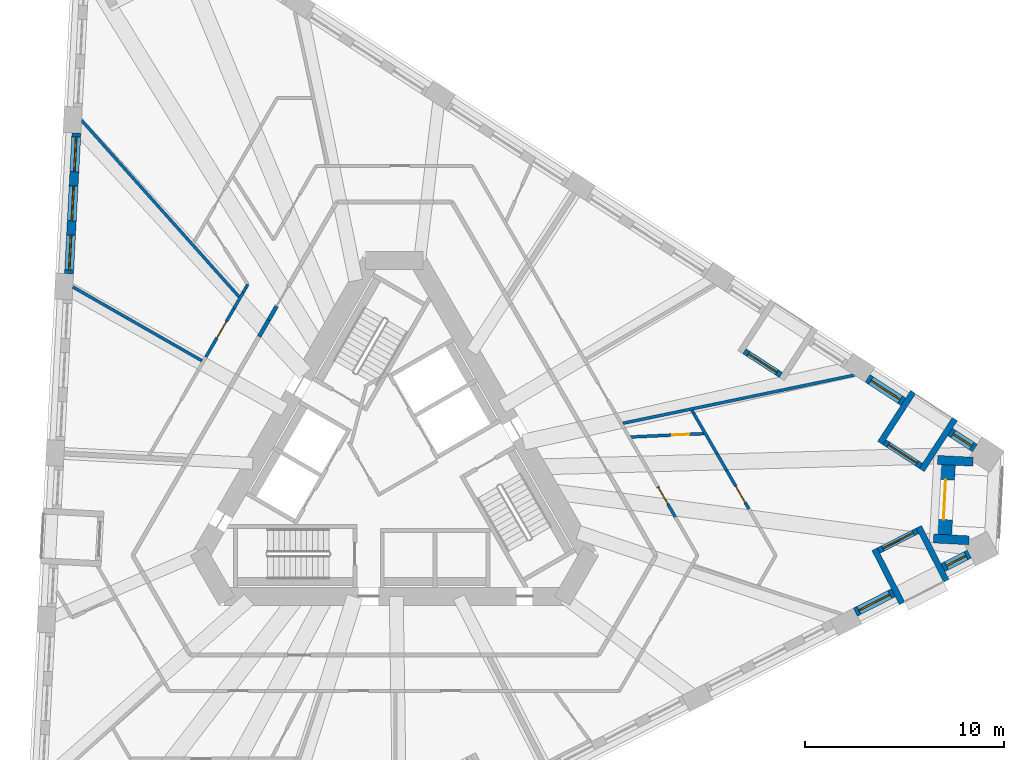
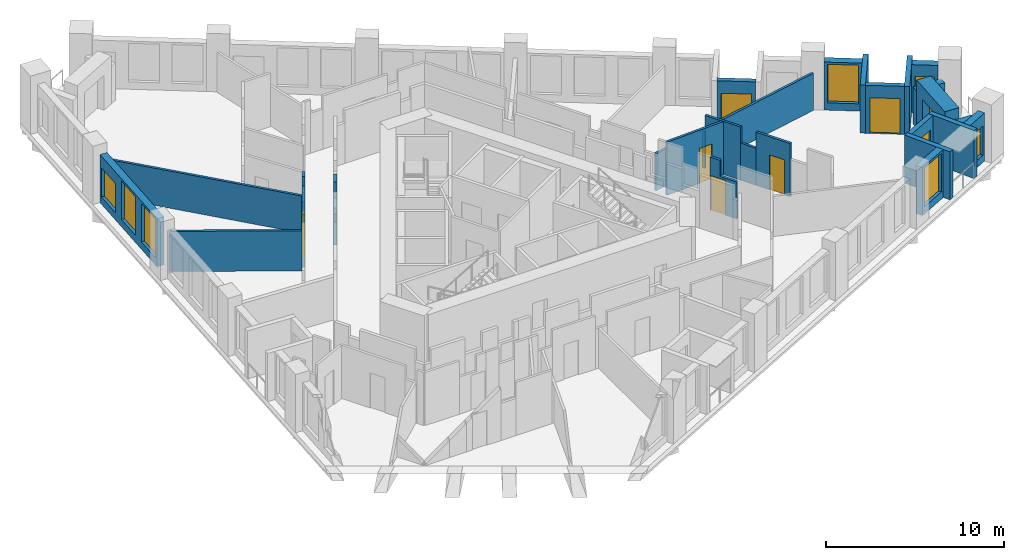
# One storey, part 6 of 12: 29 walls, 8 doors, 7 windows, 15 openings.
"""IFC4 building model written with IfcOpenShell, lengths in metres."""

from ifc_helpers import new_model, si_unit, direction, frame, frame_2d, origin, place, context, subcontext, project, spatial, polyline, rectangle, outline, extrude, material, layer, layer_set, type_object, element, fill, save


model = new_model("IFC4")

# Units and contexts
model_context = context("Model", 3, precision=1e-05, world=origin(), true_north=direction((0.0, 1.0)))
body_context = subcontext(model_context, "Body", "Model", "MODEL_VIEW")
ifc_project = project(units=[si_unit("LENGTHUNIT", "METRE"), si_unit("AREAUNIT", "SQUARE_METRE"), si_unit("VOLUMEUNIT", "CUBIC_METRE"), si_unit("PLANEANGLEUNIT", "RADIAN"), si_unit("MASSUNIT", "GRAM", prefix="KILO")], contexts=[model_context])

# Site, building, storey
site_placement = place(None, origin())
site = spatial("IfcSite", under=ifc_project, at=site_placement, CompositionType="ELEMENT")
building_placement = place(site_placement, origin())
building = spatial("IfcBuilding", under=site, at=building_placement, Name="Tramontana Tower", CompositionType="ELEMENT")
storey_placement = place(building_placement, frame((0.0, 0.0, 129.60009765625)))
storey = spatial("IfcBuildingStorey", under=building, at=storey_placement, Name="L29", CompositionType="ELEMENT", Elevation=129.60009765625)

# Walls
ifc_material_1 = material(Name="Blockwork", Category="masonry")
ifc_layer_1 = layer(ifc_material_1, 0.199951171875)
ifc_layer_set_1 = layer_set([ifc_layer_1], Name="ENTRY WALL 200")
wall_type_1 = type_object("IfcWallType", Name="ENTRY WALL 200", PredefinedType="SOLIDWALL", material=ifc_layer_set_1)
wall_1_placement = place(storey_placement, frame((-6.790283203125, 6.739013671875, 0.0), z_axis=(0.0, 0.0, 1.0), x_axis=(0.500118100521, 0.865957207679, 0.0)))
element("IfcWall", 1, at=wall_1_placement, inside=storey, type_object=wall_type_1, Name="Wall v30-ew4-5", PredefinedType="SOLIDWALL", context=body_context, shape_type="SweptSolid", body=[
    extrude(rectangle(XDim=0.943603515625, YDim=0.199951171875, at=frame_2d((0.4716796875, 0.0))), origin(), (0.0, 0.0, 1.0), 2.5498046875),
])
wall_2_placement = place(storey_placement, frame((-6.318359375, 7.55615234375, 0.0), z_axis=(0.0, 0.0, 1.0), x_axis=(0.499942357345, 0.866058681229, 0.0)))
element("IfcWall", 2, at=wall_2_placement, inside=storey, type_object=wall_type_1, Name="Wall v30-ew4-6", PredefinedType="SOLIDWALL", context=body_context, shape_type="SweptSolid", body=[
    extrude(rectangle(XDim=0.80078125, YDim=0.199951171875, at=frame_2d((0.400390625, 0.0))), origin(), (0.0, 0.0, 1.0), 3.64990234375),
])

# Wall, openings, windows
ifc_material_2 = material(Name="Precast concrete 60 MPa", Category="concrete")
ifc_layer_2 = layer(ifc_material_2, 0.449951171875)
ifc_layer_set_2 = layer_set([ifc_layer_2], Name="Precast concrete 60 MPa, 450 mm")
wall_type_2 = type_object("IfcWallType", Name="EW1 Stone-faced precast wall 450", PredefinedType="SOLIDWALL", material=ifc_layer_set_2)
wall_3_placement = place(storey_placement, frame((-15.959716796875, 16.95166015625, 0.0), z_axis=(0.0, 0.0, 1.0), x_axis=(-0.052337766399, -0.998629439887, 0.0)))
wall_3 = element("IfcWall", 3, at=wall_3_placement, inside=storey, type_object=wall_type_2, Name="External wall L29 face 0 bay 2", PredefinedType="SOLIDWALL", context=body_context, shape_type="SweptSolid", body=[
    extrude(rectangle(XDim=7.07177734375, YDim=0.449951171875, at=frame_2d((3.535888671875, 0.0))), origin(), (0.0, 0.0, 1.0), 3.2998046875),
])
opening_1_placement = place(wall_3_placement, frame((0.1953125, 0.0, 0.5)))
opening_1 = element("IfcOpeningElement", 4, at=opening_1_placement, cuts=wall_3, Name="Opening M2L", PredefinedType="OPENING", context=body_context, shape_type="SweptSolid", body=[
    extrude(rectangle(XDim=1.75, YDim=2.0, at=frame_2d((0.875, 1.0))), frame((0.0, 0.23486328125, 0.0), z_axis=(0.0, -1.0, 0.0), x_axis=(1.0, 0.0, 0.0)), (0.0, 0.0, 1.0), 0.469970703125),
])
opening_2_placement = place(wall_3_placement, frame((2.660888671875, 0.0, 0.5)))
opening_2 = element("IfcOpeningElement", 5, at=opening_2_placement, cuts=wall_3, Name="Opening M2", PredefinedType="OPENING", context=body_context, shape_type="SweptSolid", body=[
    extrude(rectangle(XDim=1.75, YDim=2.64990234375, at=frame_2d((0.875, 1.324951171875))), frame((0.0, 0.23486328125, 0.0), z_axis=(0.0, -1.0, 0.0), x_axis=(1.0, 0.0, 0.0)), (0.0, 0.0, 1.0), 0.469970703125),
])
opening_3_placement = place(wall_3_placement, frame((5.126220703125, 0.0, 0.5)))
opening_3 = element("IfcOpeningElement", 6, at=opening_3_placement, cuts=wall_3, Name="Opening M2", PredefinedType="OPENING", context=body_context, shape_type="SweptSolid", body=[
    extrude(rectangle(XDim=1.75, YDim=2.64990234375, at=frame_2d((0.875, 1.324951171875))), frame((0.0, 0.23486328125, 0.0), z_axis=(0.0, -1.0, 0.0), x_axis=(1.0, 0.0, 0.0)), (0.0, 0.0, 1.0), 0.469970703125),
])
ifc_material_3 = material(Name="Aluminum frame, double glazing unit", Category="aluminium")
window_type_1 = type_object("IfcWindowType", Name="M2 Window 1.75 x 2.65", PartitioningType="SINGLE_PANEL", PredefinedType="WINDOW", material=ifc_material_3)
window_1_placement = place(opening_2_placement, origin())
window_1 = element("IfcWindow", 7, at=window_1_placement, inside=storey, type_object=window_type_1, Name="Window M2 L29 face 0 module 5", OverallHeight=2.64990234375, OverallWidth=1.75, PartitioningType="SINGLE_PANEL", PredefinedType="WINDOW", context=body_context, shape_type="SweptSolid", body=[
    extrude(rectangle(XDim=1.75, YDim=2.64990234375, at=frame_2d((0.875, 1.324951171875))), frame((0.0, 0.030029296875, 0.0), z_axis=(0.0, -1.0, 0.0), x_axis=(1.0, 0.0, 0.0)), (0.0, 0.0, 1.0), 0.06005859375),
])
fill(opening_2, window_1)
window_2_placement = place(opening_3_placement, origin())
window_2 = element("IfcWindow", 8, at=window_2_placement, inside=storey, type_object=window_type_1, Name="Window M2 L29 face 0 module 6", OverallHeight=2.64990234375, OverallWidth=1.75, PartitioningType="SINGLE_PANEL", PredefinedType="WINDOW", context=body_context, shape_type="SweptSolid", body=[
    extrude(rectangle(XDim=1.75, YDim=2.64990234375, at=frame_2d((0.875, 1.324951171875))), frame((0.0, 0.030029296875, 0.0), z_axis=(0.0, -1.0, 0.0), x_axis=(1.0, 0.0, 0.0)), (0.0, 0.0, 1.0), 0.06005859375),
])
fill(opening_3, window_2)
ifc_material_4 = material(Name="Aluminum frame, double glazing unit", Category="aluminium")
window_type_2 = type_object("IfcWindowType", Name="M2L Window 1.75 x 2", PartitioningType="SINGLE_PANEL", PredefinedType="WINDOW", material=ifc_material_4)
window_3_placement = place(opening_1_placement, origin())
window_3 = element("IfcWindow", 9, at=window_3_placement, inside=storey, type_object=window_type_2, Name="Window M2L L29 face 0 module 4", OverallHeight=2.0, OverallWidth=1.75, PartitioningType="SINGLE_PANEL", PredefinedType="WINDOW", context=body_context, shape_type="SweptSolid", body=[
    extrude(rectangle(XDim=1.75, YDim=2.0, at=frame_2d((0.875, 1.0))), frame((0.0, 0.030029296875, 0.0), z_axis=(0.0, -1.0, 0.0), x_axis=(1.0, 0.0, 0.0)), (0.0, 0.0, 1.0), 0.06005859375),
])
fill(opening_1, window_3)

# Wall, opening, window
wall_4_placement = place(storey_placement, frame((23.1357421875, -7.094970703125, 0.0), z_axis=(0.0, 0.0, 1.0), x_axis=(0.890979432498, 0.454043666254, 0.0)))
wall_4 = element("IfcWall", 10, at=wall_4_placement, inside=storey, type_object=wall_type_2, Name="External wall L29 face 1 bay 6", PredefinedType="SOLIDWALL", context=body_context, shape_type="SweptSolid", body=[
    extrude(rectangle(XDim=2.140625, YDim=0.449951171875, at=frame_2d((1.0703125, 0.0))), origin(), (0.0, 0.0, 1.0), 3.2998046875),
])
opening_4_placement = place(wall_4_placement, frame((0.1953125, 0.0, 0.5)))
opening_4 = element("IfcOpeningElement", 11, at=opening_4_placement, cuts=wall_4, Name="Opening M2", PredefinedType="OPENING", context=body_context, shape_type="SweptSolid", body=[
    extrude(rectangle(XDim=1.75, YDim=2.64990234375, at=frame_2d((0.875, 1.324951171875))), frame((0.0, 0.23486328125, 0.0), z_axis=(0.0, -1.0, 0.0), x_axis=(1.0, 0.0, 0.0)), (0.0, 0.0, 1.0), 0.469970703125),
])
window_4_placement = place(opening_4_placement, origin())
window_4 = element("IfcWindow", 12, at=window_4_placement, inside=storey, type_object=window_type_1, Name="Window M2 L29 face 1 module 16", OverallHeight=2.64990234375, OverallWidth=1.75, PartitioningType="SINGLE_PANEL", PredefinedType="WINDOW", context=body_context, shape_type="SweptSolid", body=[
    extrude(rectangle(XDim=1.75, YDim=2.64990234375, at=frame_2d((0.875, 1.324951171875))), frame((0.0, 0.030029296875, 0.0), z_axis=(0.0, -1.0, 0.0), x_axis=(1.0, 0.0, 0.0)), (0.0, 0.0, 1.0), 0.06005859375),
])
fill(opening_4, window_4)

wall_5_placement = place(storey_placement, frame((27.529296875, -4.856201171875, 0.0), z_axis=(0.0, 0.0, 1.0), x_axis=(0.890994495378, 0.454014106836, 0.0)))
wall_5 = element("IfcWall", 13, at=wall_5_placement, inside=storey, type_object=wall_type_2, Name="External wall L29 face 1 bay 6", PredefinedType="SOLIDWALL", context=body_context, shape_type="SweptSolid", body=[
    extrude(rectangle(XDim=1.49072265625, YDim=0.449951171875, at=frame_2d((0.745361328125, 0.0))), origin(), (0.0, 0.0, 1.0), 3.2998046875),
])
opening_5_placement = place(wall_5_placement, frame((0.1953125, 0.0, 0.5)))
opening_5 = element("IfcOpeningElement", 14, at=opening_5_placement, cuts=wall_5, Name="Opening N2L", PredefinedType="OPENING", context=body_context, shape_type="SweptSolid", body=[
    extrude(rectangle(XDim=1.10009765625, YDim=2.0, at=frame_2d((0.550048828125, 1.0))), frame((0.0, 0.23486328125, 0.0), z_axis=(0.0, -1.0, 0.0), x_axis=(1.0, 0.0, 0.0)), (0.0, 0.0, 1.0), 0.469970703125),
])
ifc_material_5 = material(Name="Aluminum frame, double glazing unit", Category="aluminium")
window_type_3 = type_object("IfcWindowType", Name="N2L Window 1.1 x 2", PartitioningType="SINGLE_PANEL", PredefinedType="WINDOW", material=ifc_material_5)
window_5_placement = place(opening_5_placement, origin())
window_5 = element("IfcWindow", 15, at=window_5_placement, inside=storey, type_object=window_type_3, Name="Window N2L L29 face 1 module 18", OverallHeight=2.0, OverallWidth=1.10009765625, PartitioningType="SINGLE_PANEL", PredefinedType="WINDOW", context=body_context, shape_type="SweptSolid", body=[
    extrude(rectangle(XDim=1.10009765625, YDim=2.0, at=frame_2d((0.550048828125, 1.0))), frame((0.0, 0.030029296875, 0.0), z_axis=(0.0, -1.0, 0.0), x_axis=(1.0, 0.0, 0.0)), (0.0, 0.0, 1.0), 0.06005859375),
])
fill(opening_5, window_5)

wall_6_placement = place(storey_placement, frame((29.13623046875, 1.14013671875, 0.0), z_axis=(0.0, 0.0, 1.0), x_axis=(-0.838668089672, 0.544642851203, 0.0)))
wall_6 = element("IfcWall", 16, at=wall_6_placement, inside=storey, type_object=wall_type_2, Name="External wall L29 face 2 bay 1", PredefinedType="SOLIDWALL", context=body_context, shape_type="SweptSolid", body=[
    extrude(rectangle(XDim=1.490478515625, YDim=0.449951171875, at=frame_2d((0.7451171875, 0.0))), origin(), (0.0, 0.0, 1.0), 3.2998046875),
])
opening_6_placement = place(wall_6_placement, frame((0.1953125, 0.0, 0.5)))
opening_6 = element("IfcOpeningElement", 17, at=opening_6_placement, cuts=wall_6, Name="Opening N2L", PredefinedType="OPENING", context=body_context, shape_type="SweptSolid", body=[
    extrude(rectangle(XDim=1.10009765625, YDim=2.0, at=frame_2d((0.550048828125, 1.0))), frame((0.0, 0.23486328125, 0.0), z_axis=(0.0, -1.0, 0.0), x_axis=(1.0, 0.0, 0.0)), (0.0, 0.0, 1.0), 0.469970703125),
])
window_6_placement = place(opening_6_placement, origin())
window_6 = element("IfcWindow", 18, at=window_6_placement, inside=storey, type_object=window_type_3, Name="Window N2L L29 face 2 module 1", OverallHeight=2.0, OverallWidth=1.10009765625, PartitioningType="SINGLE_PANEL", PredefinedType="WINDOW", context=body_context, shape_type="SweptSolid", body=[
    extrude(rectangle(XDim=1.10009765625, YDim=2.0, at=frame_2d((0.550048828125, 1.0))), frame((0.0, 0.030029296875, 0.0), z_axis=(0.0, -1.0, 0.0), x_axis=(1.0, 0.0, 0.0)), (0.0, 0.0, 1.0), 0.06005859375),
])
fill(opening_6, window_6)

wall_7_placement = place(storey_placement, frame((25.5458984375, 3.471923828125, 0.0), z_axis=(0.0, 0.0, 1.0), x_axis=(-0.838675466927, 0.544631491171, 0.0)))
wall_7 = element("IfcWall", 19, at=wall_7_placement, inside=storey, type_object=wall_type_2, Name="External wall L29 face 2 bay 1", PredefinedType="SOLIDWALL", context=body_context, shape_type="SweptSolid", body=[
    extrude(rectangle(XDim=2.140380859375, YDim=0.449951171875, at=frame_2d((1.0703125, 0.0))), origin(), (0.0, 0.0, 1.0), 3.2998046875),
])
opening_7_placement = place(wall_7_placement, frame((0.1953125, 0.0, 0.5)))
opening_7 = element("IfcOpeningElement", 20, at=opening_7_placement, cuts=wall_7, Name="Opening M2", PredefinedType="OPENING", context=body_context, shape_type="SweptSolid", body=[
    extrude(rectangle(XDim=1.75, YDim=2.64990234375, at=frame_2d((0.875, 1.324951171875))), frame((0.0, 0.23486328125, 0.0), z_axis=(0.0, -1.0, 0.0), x_axis=(1.0, 0.0, 0.0)), (0.0, 0.0, 1.0), 0.469970703125),
])
window_7_placement = place(opening_7_placement, origin())
window_7 = element("IfcWindow", 21, at=window_7_placement, inside=storey, type_object=window_type_1, Name="Window M2 L29 face 2 module 3", OverallHeight=2.64990234375, OverallWidth=1.75, PartitioningType="SINGLE_PANEL", PredefinedType="WINDOW", context=body_context, shape_type="SweptSolid", body=[
    extrude(rectangle(XDim=1.75, YDim=2.64990234375, at=frame_2d((0.875, 1.324951171875))), frame((0.0, 0.030029296875, 0.0), z_axis=(0.0, -1.0, 0.0), x_axis=(1.0, 0.0, 0.0)), (0.0, 0.0, 1.0), 0.06005859375),
])
fill(opening_7, window_7)

# Walls
for number, where, z_axis, x_axis, name in (
    (22, (29.04296875, 0.45556640625, 0.0), (0.0, 0.0, 1.0), (-0.998625399692, 0.05241479839, 0.0), "Corner loggia side wall L29 K32l"),
    (23, (28.836181640625, -3.489013671875, 0.0), (0.0, 0.0, 1.0), (-0.998625399692, 0.05241479839, 0.0), "Corner loggia side wall L29 K32r"),
):
    element("IfcWall", number, at=place(storey_placement, frame(where, z_axis=z_axis, x_axis=x_axis)), inside=storey, type_object=wall_type_2, Name=name, PredefinedType="SOLIDWALL", context=body_context, shape_type="SweptSolid", body=[
        extrude(rectangle(XDim=1.779296875, YDim=0.449951171875, at=frame_2d((0.8896484375, 0.0))), origin(), (0.0, 0.0, 1.0), 2.5498046875),
    ])

# Wall, opening, door
ifc_material_6 = material(Name="Precast concrete 60 MPa", Category="concrete")
ifc_layer_3 = layer(ifc_material_6, 0.89990234375)
ifc_layer_set_3 = layer_set([ifc_layer_3], Name="EW2 Stone-faced corner loggia wall 900")
wall_type_3 = type_object("IfcWallType", Name="EW2 Stone-faced corner loggia wall 900", PredefinedType="SOLIDWALL", material=ifc_layer_set_3)
wall_8_placement = place(storey_placement, frame((27.70361328125, 0.300537109375, 0.0), z_axis=(0.0, 0.0, 1.0), x_axis=(-0.052317189757, -0.998630518088, 0.0)))
wall_8 = element("IfcWall", 24, at=wall_8_placement, inside=storey, type_object=wall_type_3, Name="Corner loggia wall L29 K32", PredefinedType="SOLIDWALL", context=body_context, shape_type="SweptSolid", body=[
    extrude(rectangle(XDim=3.5, YDim=0.89990234375, at=frame_2d((1.75, 0.0))), origin(), (0.0, 0.0, 1.0), 3.2998046875),
])
opening_8_placement = place(wall_8_placement, frame((0.75, 0.0, 0.0)))
opening_8 = element("IfcOpeningElement", 25, at=opening_8_placement, cuts=wall_8, Name="Opening BD-32C", PredefinedType="OPENING", context=body_context, shape_type="SweptSolid", body=[
    extrude(rectangle(XDim=2.0, YDim=2.39990234375, at=frame_2d((1.0, 1.199951171875))), frame((0.0, 0.4599609375, 0.0), z_axis=(0.0, -1.0, 0.0), x_axis=(1.0, 0.0, 0.0)), (0.0, 0.0, 1.0), 0.919921875),
])
ifc_material_7 = material(Name="Aluminum frame, double glazing unit", Category="aluminium")
door_type_1 = type_object("IfcDoorType", Name="BC1 Sliding door 2 x 2.4", OperationType="SLIDING_TO_LEFT", PredefinedType="DOOR", material=ifc_material_7)
door_1_placement = place(opening_8_placement, origin())
door_1 = element("IfcDoor", 26, at=door_1_placement, inside=storey, type_object=door_type_1, Name="Corner loggia door L29 K32", OperationType="SLIDING_TO_LEFT", OverallHeight=2.39990234375, OverallWidth=2.0, PredefinedType="DOOR", context=body_context, shape_type="SweptSolid", body=[
    extrude(rectangle(XDim=2.0, YDim=2.39990234375, at=frame_2d((1.0, 1.199951171875))), frame((0.0, 0.02490234375, 0.0), z_axis=(0.0, -1.0, 0.0), x_axis=(1.0, 0.0, 0.0)), (0.0, 0.0, 1.0), 0.050048828125),
])
fill(opening_8, door_1)

ifc_material_8 = material(Name="Precast concrete 60 MPa", Category="concrete")
ifc_layer_4 = layer(ifc_material_8, 0.300048828125)
ifc_layer_set_4 = layer_set([ifc_layer_4], Name="LW1 Stone-faced loggia wall 300")
wall_type_4 = type_object("IfcWallType", Name="LW1 Stone-faced loggia wall 300", PredefinedType="SOLIDWALL", material=ifc_layer_set_4)
wall_9_placement = place(storey_placement, frame((24.30029296875, -4.00439453125, 0.0), z_axis=(0.0, 0.0, 1.0), x_axis=(0.891013126725, 0.4539775413, 0.0)))
wall_9 = element("IfcWall", 27, at=wall_9_placement, inside=storey, type_object=wall_type_4, Name="Loggia wall L29 G3S1.16", PredefinedType="SOLIDWALL", context=body_context, shape_type="SweptSolid", body=[
    extrude(rectangle(XDim=2.1904296875, YDim=0.300048828125, at=frame_2d((1.09521484375, 0.0))), origin(), (0.0, 0.0, 1.0), 3.2998046875),
])
opening_9_placement = place(wall_9_placement, frame((0.245361328125, 0.0, 0.0)))
opening_9 = element("IfcOpeningElement", 28, at=opening_9_placement, cuts=wall_9, Name="Opening BD-3S1-16", PredefinedType="OPENING", context=body_context, shape_type="SweptSolid", body=[
    extrude(rectangle(XDim=1.699951171875, YDim=2.449951171875, at=frame_2d((0.85009765625, 1.22509765625))), frame((0.0, 0.159912109375, 0.0), z_axis=(0.0, -1.0, 0.0), x_axis=(1.0, 0.0, 0.0)), (0.0, 0.0, 1.0), 0.320068359375),
])
ifc_material_9 = material(Name="Aluminum frame, double glazing unit", Category="aluminium")
door_type_2 = type_object("IfcDoorType", Name="BD2 Sliding door 1.7 x 2.45", OperationType="SLIDING_TO_LEFT", PredefinedType="DOOR", material=ifc_material_9)
door_2_placement = place(opening_9_placement, origin())
door_2 = element("IfcDoor", 29, at=door_2_placement, inside=storey, type_object=door_type_2, Name="Loggia door L29 G3S1.16", OperationType="SLIDING_TO_LEFT", OverallHeight=2.449951171875, OverallWidth=1.699951171875, PredefinedType="DOOR", context=body_context, shape_type="SweptSolid", body=[
    extrude(rectangle(XDim=1.699951171875, YDim=2.449951171875, at=frame_2d((0.85009765625, 1.22509765625))), frame((0.0, 0.02490234375, 0.0), z_axis=(0.0, -1.0, 0.0), x_axis=(1.0, 0.0, 0.0)), (0.0, 0.0, 1.0), 0.050048828125),
])
fill(opening_9, door_2)

# Walls
wall_10_placement = place(storey_placement, frame((25.483154296875, -6.656494140625, 0.0), z_axis=(0.0, 0.0, 1.0), x_axis=(-0.453988129332, 0.891007731968, 0.0)))
element("IfcWall", 30, at=wall_10_placement, inside=storey, type_object=wall_type_4, Name="Loggia return L29 G3S1.16a", PredefinedType="SOLIDWALL", context=body_context, shape_type="SweptSolid", body=[
    extrude(rectangle(XDim=3.05029296875, YDim=0.300048828125, at=frame_2d((1.525146484375, 0.0))), origin(), (0.0, 0.0, 1.0), 3.2998046875),
])
wall_11_placement = place(storey_placement, frame((27.7021484375, -5.525634765625, 0.0), z_axis=(0.0, 0.0, 1.0), x_axis=(-0.453956959009, 0.891023613249, 0.0)))
element("IfcWall", 31, at=wall_11_placement, inside=storey, type_object=wall_type_4, Name="Loggia return L29 G3S1.16b", PredefinedType="SOLIDWALL", context=body_context, shape_type="SweptSolid", body=[
    extrude(rectangle(XDim=3.0498046875, YDim=0.300048828125, at=frame_2d((1.52490234375, 0.0))), origin(), (0.0, 0.0, 1.0), 3.2998046875),
])

# Wall, opening, door
wall_12_placement = place(storey_placement, frame((26.4228515625, 0.249267578125, 0.0), z_axis=(0.0, 0.0, 1.0), x_axis=(-0.838659986147, 0.544655329209, 0.0)))
wall_12 = element("IfcWall", 32, at=wall_12_placement, inside=storey, type_object=wall_type_4, Name="Loggia wall L29 G3S2.1", PredefinedType="SOLIDWALL", context=body_context, shape_type="SweptSolid", body=[
    extrude(rectangle(XDim=2.190673828125, YDim=0.300048828125, at=frame_2d((1.09521484375, 0.0))), origin(), (0.0, 0.0, 1.0), 3.2998046875),
])
opening_10_placement = place(wall_12_placement, frame((0.245361328125, 0.0, 0.0)))
opening_10 = element("IfcOpeningElement", 33, at=opening_10_placement, cuts=wall_12, Name="Opening BD-3S2-01", PredefinedType="OPENING", context=body_context, shape_type="SweptSolid", body=[
    extrude(rectangle(XDim=1.699951171875, YDim=2.449951171875, at=frame_2d((0.85009765625, 1.22509765625))), frame((0.0, 0.159912109375, 0.0), z_axis=(0.0, -1.0, 0.0), x_axis=(1.0, 0.0, 0.0)), (0.0, 0.0, 1.0), 0.320068359375),
])
door_3_placement = place(opening_10_placement, origin())
door_3 = element("IfcDoor", 34, at=door_3_placement, inside=storey, type_object=door_type_2, Name="Loggia door L29 G3S2.1", OperationType="SLIDING_TO_LEFT", OverallHeight=2.449951171875, OverallWidth=1.699951171875, PredefinedType="DOOR", context=body_context, shape_type="SweptSolid", body=[
    extrude(rectangle(XDim=1.699951171875, YDim=2.449951171875, at=frame_2d((0.85009765625, 1.22509765625))), frame((0.0, 0.02490234375, 0.0), z_axis=(0.0, -1.0, 0.0), x_axis=(1.0, 0.0, 0.0)), (0.0, 0.0, 1.0), 0.050048828125),
])
fill(opening_10, door_3)

# Walls
for number, where, z_axis, x_axis, name in (
    (35, (28.1279296875, 2.599853515625, 0.0), (0.0, 0.0, 1.0), (-0.544611292451, -0.838688583525, 0.0), "Loggia return L29 G3S2.1a"),
    (36, (26.039306640625, 3.956298828125, 0.0), (0.0, 0.0, 1.0), (-0.544611292451, -0.838688583525, 0.0), "Loggia return L29 G3S2.1b"),
):
    element("IfcWall", number, at=place(storey_placement, frame(where, z_axis=z_axis, x_axis=x_axis)), inside=storey, type_object=wall_type_4, Name=name, PredefinedType="SOLIDWALL", context=body_context, shape_type="SweptSolid", body=[
        extrude(rectangle(XDim=3.050048828125, YDim=0.300048828125, at=frame_2d((1.52490234375, 0.0))), origin(), (0.0, 0.0, 1.0), 3.2998046875),
    ])

# Wall, opening, door
wall_13_placement = place(storey_placement, frame((19.40185546875, 4.808837890625, 0.0), z_axis=(0.0, 0.0, 1.0), x_axis=(-0.838659986147, 0.544655329209, 0.0)))
wall_13 = element("IfcWall", 37, at=wall_13_placement, inside=storey, type_object=wall_type_4, Name="Loggia wall L29 G3S2.4", PredefinedType="SOLIDWALL", context=body_context, shape_type="SweptSolid", body=[
    extrude(rectangle(XDim=2.190673828125, YDim=0.300048828125, at=frame_2d((1.09521484375, 0.0))), origin(), (0.0, 0.0, 1.0), 3.2998046875),
])
opening_11_placement = place(wall_13_placement, frame((0.245361328125, 0.0, 0.0)))
opening_11 = element("IfcOpeningElement", 38, at=opening_11_placement, cuts=wall_13, Name="Opening BD-3S2-04", PredefinedType="OPENING", context=body_context, shape_type="SweptSolid", body=[
    extrude(rectangle(XDim=1.699951171875, YDim=2.449951171875, at=frame_2d((0.85009765625, 1.22509765625))), frame((0.0, 0.159912109375, 0.0), z_axis=(0.0, -1.0, 0.0), x_axis=(1.0, 0.0, 0.0)), (0.0, 0.0, 1.0), 0.320068359375),
])
door_4_placement = place(opening_11_placement, origin())
door_4 = element("IfcDoor", 39, at=door_4_placement, inside=storey, type_object=door_type_2, Name="Loggia door L29 G3S2.4", OperationType="SLIDING_TO_LEFT", OverallHeight=2.449951171875, OverallWidth=1.699951171875, PredefinedType="DOOR", context=body_context, shape_type="SweptSolid", body=[
    extrude(rectangle(XDim=1.699951171875, YDim=2.449951171875, at=frame_2d((0.85009765625, 1.22509765625))), frame((0.0, 0.02490234375, 0.0), z_axis=(0.0, -1.0, 0.0), x_axis=(1.0, 0.0, 0.0)), (0.0, 0.0, 1.0), 0.050048828125),
])
fill(opening_11, door_4)

ifc_material_10 = material(Name="Gypsum board partition")
ifc_layer_5 = layer(ifc_material_10, 0.14990234375)
ifc_layer_set_5 = layer_set([ifc_layer_5], Name="PARTITION 150")
wall_type_5 = type_object("IfcWallType", Name="PARTITION 150", PredefinedType="PARTITIONING", material=ifc_layer_set_5)
wall_14_placement = place(storey_placement, frame((-9.457763671875, 5.71875, 0.0), z_axis=(0.0, 0.0, 1.0), x_axis=(0.499996941814, 0.866027169422, 0.0)))
wall_14 = element("IfcWall", 40, at=wall_14_placement, inside=storey, type_object=wall_type_5, Name="Wall v30-pw04-3", PredefinedType="PARTITIONING", context=body_context, shape_type="SweptSolid", body=[
    extrude(rectangle(XDim=2.79736328125, YDim=0.14990234375, at=frame_2d((1.398681640625, 0.0))), origin(), (0.0, 0.0, 1.0), 3.64990234375),
])
opening_12_placement = place(wall_14_placement, frame((1.099853515625, 0.0, 0.0)))
opening_12 = element("IfcOpeningElement", 41, at=opening_12_placement, cuts=wall_14, Name="Opening B3A-05", PredefinedType="OPENING", context=body_context, shape_type="SweptSolid", body=[
    extrude(rectangle(XDim=0.949951171875, YDim=2.39990234375, at=frame_2d((0.47509765625, 1.199951171875))), frame((0.0, 0.0849609375, 0.0), z_axis=(0.0, -1.0, 0.0), x_axis=(1.0, 0.0, 0.0)), (0.0, 0.0, 1.0), 0.169921875),
])
ifc_material_11 = material(Name="Painted timber", Category="wood")
door_type_3 = type_object("IfcDoorType", Name="DOOR ROOM 950", OperationType="SINGLE_SWING_LEFT", PredefinedType="DOOR", material=ifc_material_11)
door_5_placement = place(opening_12_placement, origin())
door_5 = element("IfcDoor", 42, at=door_5_placement, inside=storey, type_object=door_type_3, Name="Door B3A-05", OperationType="SINGLE_SWING_LEFT", OverallHeight=2.39990234375, OverallWidth=0.949951171875, PredefinedType="DOOR", context=body_context, shape_type="SweptSolid", body=[
    extrude(rectangle(XDim=0.949951171875, YDim=2.39990234375, at=frame_2d((0.47509765625, 1.199951171875))), frame((0.0, 0.02490234375, 0.0), z_axis=(0.0, -1.0, 0.0), x_axis=(1.0, 0.0, 0.0)), (0.0, 0.0, 1.0), 0.050048828125),
])
fill(opening_12, door_5)

# Walls
wall_15_placement = place(storey_placement, frame((-8.05908203125, 8.141357421875, 0.0), z_axis=(0.0, 0.0, 1.0), x_axis=(0.500060322201, 0.865990573944, 0.0)))
element("IfcWall", 43, at=wall_15_placement, inside=storey, type_object=wall_type_5, Name="Wall v30-pw04-4", PredefinedType="PARTITIONING", context=body_context, shape_type="SweptSolid", body=[
    extrude(rectangle(XDim=0.91748046875, YDim=0.14990234375, at=frame_2d((0.458740234375, 0.0))), origin(), (0.0, 0.0, 1.0), 2.5498046875),
])
wall_16_placement = place(storey_placement, frame((-7.600341796875, 8.935791015625, 0.0), z_axis=(0.0, 0.0, 1.0), x_axis=(0.499941024108, 0.866059450854, 0.0)))
element("IfcWall", 44, at=wall_16_placement, inside=storey, type_object=wall_type_5, Name="Wall v30-pw04-5", PredefinedType="PARTITIONING", context=body_context, shape_type="SweptSolid", body=[
    extrude(rectangle(XDim=0.4833984375, YDim=0.14990234375, at=frame_2d((0.24169921875, 0.0))), origin(), (0.0, 0.0, 1.0), 3.64990234375),
])
wall_17_placement = place(storey_placement, frame((-9.65771484375, 5.5224609375, 0.0), z_axis=(0.0, 0.0, 1.0), x_axis=(-0.868078092768, 0.496427663267, 0.0)))
element("IfcWall", 45, at=wall_17_placement, inside=storey, type_object=wall_type_5, Name="Wall v30-pw08-0", PredefinedType="PARTITIONING", context=body_context, shape_type="SweptSolid", body=[
    extrude(rectangle(XDim=7.466552734375, YDim=0.14990234375, at=frame_2d((3.7333984375, 0.0))), origin(), (0.0, 0.0, 1.0), 2.75),
])
wall_18_placement = place(storey_placement, frame((-7.80078125, 8.73876953125, 0.0), z_axis=(0.0, 0.0, 1.0), x_axis=(-0.665934790779, 0.746009955986, 0.0)))
element("IfcWall", 46, at=wall_18_placement, inside=storey, type_object=wall_type_5, Name="Wall v30-pw10-0", PredefinedType="PARTITIONING", context=body_context, shape_type="SweptSolid", body=[
    extrude(rectangle(XDim=11.86328125, YDim=0.14990234375, at=frame_2d((5.931640625, 0.0))), origin(), (0.0, 0.0, 1.0), 2.5498046875),
])

# Wall, opening, door
wall_19_placement = place(storey_placement, frame((13.224609375, -0.8056640625, 0.0), z_axis=(0.0, 0.0, 1.0), x_axis=(0.500006134913, -0.866021861762, 0.0)))
wall_19 = element("IfcWall", 47, at=wall_19_placement, inside=storey, type_object=wall_type_5, Name="Wall v30-pw20-9", PredefinedType="PARTITIONING", context=body_context, shape_type="SweptSolid", body=[
    extrude(outline(polyline([(0.0, 0.0), (1.73828125, 0.0), (1.73828125, 2.5498046875), (0.634521484375, 2.5498046875), (0.634521484375, 3.64990234375), (0.0, 3.64990234375), (0.0, 0.0)])), frame((0.0, 0.074951171875, 0.0), z_axis=(0.0, -1.0, 0.0), x_axis=(1.0, 0.0, 0.0)), (0.0, 0.0, 1.0), 0.14990234375),
])
opening_13_placement = place(wall_19_placement, frame((0.050048828125, 0.0, 0.0)))
opening_13 = element("IfcOpeningElement", 48, at=opening_13_placement, cuts=wall_19, Name="Opening B3A-13", PredefinedType="OPENING", context=body_context, shape_type="SweptSolid", body=[
    extrude(rectangle(XDim=0.949951171875, YDim=2.39990234375, at=frame_2d((0.47509765625, 1.199951171875))), frame((0.0, 0.0849609375, 0.0), z_axis=(0.0, -1.0, 0.0), x_axis=(1.0, 0.0, 0.0)), (0.0, 0.0, 1.0), 0.169921875),
])
door_6_placement = place(opening_13_placement, origin())
door_6 = element("IfcDoor", 49, at=door_6_placement, inside=storey, type_object=door_type_3, Name="Door B3A-13", OperationType="SINGLE_SWING_LEFT", OverallHeight=2.39990234375, OverallWidth=0.949951171875, PredefinedType="DOOR", context=body_context, shape_type="SweptSolid", body=[
    extrude(rectangle(XDim=0.949951171875, YDim=2.39990234375, at=frame_2d((0.47509765625, 1.199951171875))), frame((0.0, 0.02490234375, 0.0), z_axis=(0.0, -1.0, 0.0), x_axis=(1.0, 0.0, 0.0)), (0.0, 0.0, 1.0), 0.050048828125),
])
fill(opening_13, door_6)

# Wall
wall_20_placement = place(storey_placement, frame((11.46826171875, 2.38623046875, 0.0), z_axis=(0.0, 0.0, 1.0), x_axis=(0.979030724859, 0.203712640211, 0.0)))
element("IfcWall", 50, at=wall_20_placement, inside=storey, type_object=wall_type_5, Name="Wall v30-pw29-0", PredefinedType="PARTITIONING", context=body_context, shape_type="SweptSolid", body=[
    extrude(rectangle(XDim=11.863525390625, YDim=0.14990234375, at=frame_2d((5.931640625, 0.0))), origin(), (0.0, 0.0, 1.0), 2.5498046875),
])

# Wall, opening, door
wall_21_placement = place(storey_placement, frame((11.783935546875, 1.693603515625, 0.0), z_axis=(0.0, 0.0, 1.0), x_axis=(0.998933757579, 0.046166524337, 0.0)))
wall_21 = element("IfcWall", 51, at=wall_21_placement, inside=storey, type_object=wall_type_5, Name="Wall v30-pw30", PredefinedType="PARTITIONING", context=body_context, shape_type="SweptSolid", body=[
    extrude(rectangle(XDim=3.823486328125, YDim=0.14990234375, at=frame_2d((1.91162109375, 0.0))), origin(), (0.0, 0.0, 1.0), 3.64990234375),
])
opening_14_placement = place(wall_21_placement, frame((2.169921875, 0.0, 0.0)))
opening_14 = element("IfcOpeningElement", 52, at=opening_14_placement, cuts=wall_21, Name="Opening B3A-21", PredefinedType="OPENING", context=body_context, shape_type="SweptSolid", body=[
    extrude(rectangle(XDim=0.85009765625, YDim=2.39990234375, at=frame_2d((0.425048828125, 1.199951171875))), frame((0.0, 0.0849609375, 0.0), z_axis=(0.0, -1.0, 0.0), x_axis=(1.0, 0.0, 0.0)), (0.0, 0.0, 1.0), 0.169921875),
])
ifc_material_12 = material(Name="Painted timber", Category="wood")
door_type_4 = type_object("IfcDoorType", Name="DOOR BATH 850", OperationType="SINGLE_SWING_LEFT", PredefinedType="DOOR", material=ifc_material_12)
door_7_placement = place(opening_14_placement, origin())
door_7 = element("IfcDoor", 53, at=door_7_placement, inside=storey, type_object=door_type_4, Name="Door B3A-21", OperationType="SINGLE_SWING_LEFT", OverallHeight=2.39990234375, OverallWidth=0.85009765625, PredefinedType="DOOR", context=body_context, shape_type="SweptSolid", body=[
    extrude(rectangle(XDim=0.85009765625, YDim=2.39990234375, at=frame_2d((0.425048828125, 1.199951171875))), frame((0.0, 0.02490234375, 0.0), z_axis=(0.0, -1.0, 0.0), x_axis=(1.0, 0.0, 0.0)), (0.0, 0.0, 1.0), 0.050048828125),
])
fill(opening_14, door_7)

# Walls
wall_22_placement = place(storey_placement, frame((14.935546875, 3.031005859375, 0.0), z_axis=(0.0, 0.0, 1.0), x_axis=(0.499298623879, -0.866429964967, 0.0)))
element("IfcWall", 54, at=wall_22_placement, inside=storey, type_object=wall_type_5, Name="Wall v30-pw31-0", PredefinedType="PARTITIONING", context=body_context, shape_type="SweptSolid", body=[
    extrude(rectangle(XDim=0.166259765625, YDim=0.14990234375, at=frame_2d((0.0830078125, 0.0))), origin(), (0.0, 0.0, 1.0), 2.5498046875),
])
wall_23_placement = place(storey_placement, frame((15.0185546875, 2.886962890625, 0.0), z_axis=(0.0, 0.0, 1.0), x_axis=(0.50006548692, -0.865987591592, 0.0)))
element("IfcWall", 55, at=wall_23_placement, inside=storey, type_object=wall_type_5, Name="Wall v30-pw31-1", PredefinedType="PARTITIONING", context=body_context, shape_type="SweptSolid", body=[
    extrude(rectangle(XDim=2.320556640625, YDim=0.14990234375, at=frame_2d((1.16015625, 0.0))), origin(), (0.0, 0.0, 1.0), 3.64990234375),
])
wall_24_placement = place(storey_placement, frame((16.178955078125, 0.87744140625, 0.0), z_axis=(0.0, 0.0, 1.0), x_axis=(0.499991453095, -0.866030338286, 0.0)))
element("IfcWall", 56, at=wall_24_placement, inside=storey, type_object=wall_type_5, Name="Wall v30-pw31-2", PredefinedType="PARTITIONING", context=body_context, shape_type="SweptSolid", body=[
    extrude(rectangle(XDim=0.9951171875, YDim=0.14990234375, at=frame_2d((0.49755859375, 0.0))), origin(), (0.0, 0.0, 1.0), 2.5498046875),
])

# Wall, opening, door
wall_25_placement = place(storey_placement, frame((16.676513671875, 0.015625, 0.0), z_axis=(0.0, 0.0, 1.0), x_axis=(0.499958946799, -0.866049104564, 0.0)))
wall_25 = element("IfcWall", 57, at=wall_25_placement, inside=storey, type_object=wall_type_5, Name="Wall v30-pw31-3", PredefinedType="PARTITIONING", context=body_context, shape_type="SweptSolid", body=[
    extrude(rectangle(XDim=2.234130859375, YDim=0.14990234375, at=frame_2d((1.1171875, 0.0))), origin(), (0.0, 0.0, 1.0), 3.64990234375),
])
opening_15_placement = place(wall_25_placement, frame((0.896240234375, 0.0, 0.0)))
opening_15 = element("IfcOpeningElement", 58, at=opening_15_placement, cuts=wall_25, Name="Opening B3A-19", PredefinedType="OPENING", context=body_context, shape_type="SweptSolid", body=[
    extrude(rectangle(XDim=0.949951171875, YDim=2.39990234375, at=frame_2d((0.47509765625, 1.199951171875))), frame((0.0, 0.0849609375, 0.0), z_axis=(0.0, -1.0, 0.0), x_axis=(1.0, 0.0, 0.0)), (0.0, 0.0, 1.0), 0.169921875),
])
door_8_placement = place(opening_15_placement, origin())
door_8 = element("IfcDoor", 59, at=door_8_placement, inside=storey, type_object=door_type_3, Name="Door B3A-19", OperationType="SINGLE_SWING_LEFT", OverallHeight=2.39990234375, OverallWidth=0.949951171875, PredefinedType="DOOR", context=body_context, shape_type="SweptSolid", body=[
    extrude(rectangle(XDim=0.949951171875, YDim=2.39990234375, at=frame_2d((0.47509765625, 1.199951171875))), frame((0.0, 0.02490234375, 0.0), z_axis=(0.0, -1.0, 0.0), x_axis=(1.0, 0.0, 0.0)), (0.0, 0.0, 1.0), 0.050048828125),
])
fill(opening_15, door_8)

save(model, "model.ifc")
